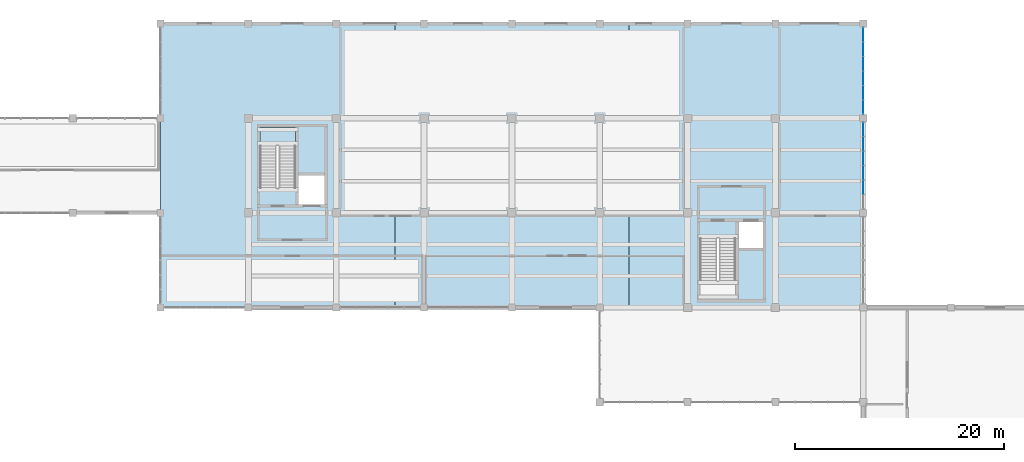
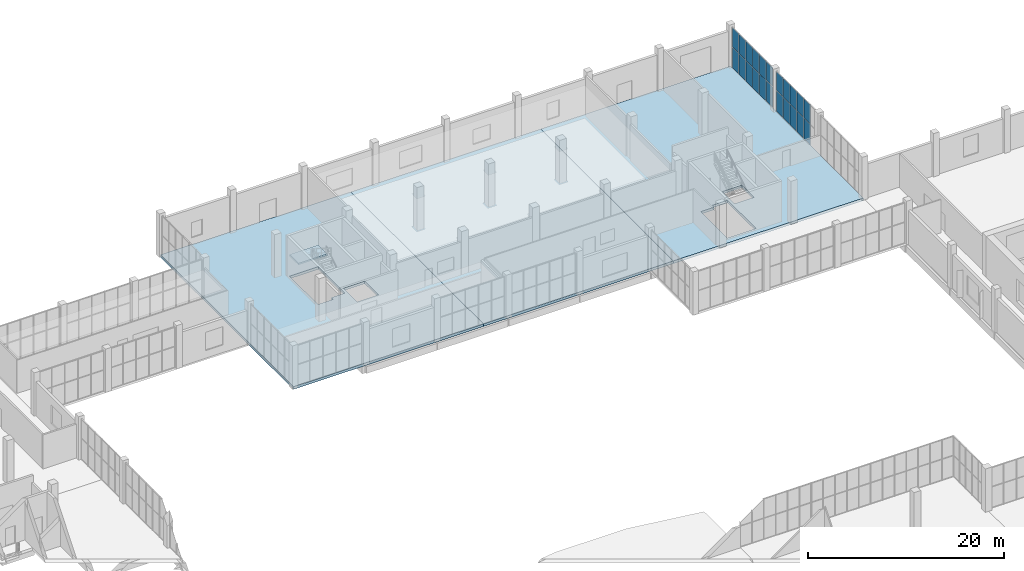
# One storey, part 71 of 91: 22 plates, 4 slabs, 3 elements without a shape of their own.
"""IFC4 building model written with IfcOpenShell, lengths in metres."""

from ifc_helpers import new_model, si_unit, direction, frame, origin, origin_2d, place, context, subcontext, project, spatial, polyline, rectangle, outline, extrude, material, layer, layer_set, type_object, element, aggregate, save


model = new_model("IFC4")

# Units and contexts
model_context = context("Model", 3, precision=1e-05, world=origin(), true_north=direction((0.0, 1.0)))
body_context = subcontext(model_context, "Body", "Model", "MODEL_VIEW")
ifc_project = project(units=[si_unit("LENGTHUNIT", "METRE"), si_unit("AREAUNIT", "SQUARE_METRE"), si_unit("VOLUMEUNIT", "CUBIC_METRE"), si_unit("PLANEANGLEUNIT", "RADIAN"), si_unit("MASSUNIT", "GRAM", prefix="KILO")], contexts=[model_context])

# Site, building, storey
site_placement = place(None, origin())
site = spatial("IfcSite", under=ifc_project, at=site_placement, CompositionType="ELEMENT")
building_placement = place(site_placement, origin())
building = spatial("IfcBuilding", under=site, at=building_placement, Name="Khurvash Pelagic Aquarium", CompositionType="ELEMENT")
storey_placement = place(building_placement, origin())
storey = spatial("IfcBuildingStorey", under=building, at=storey_placement, Name="L00", CompositionType="ELEMENT", Elevation=0.0)

# Curtain wall, plates
ifc_material_1 = material(Name="Anodised aluminium and low-E laminated glass", Category="aluminium")
curtain_wall_type = type_object("IfcCurtainWallType", Name="CW-05", PredefinedType="USERDEFINED", material=ifc_material_1)
curtain_wall_1_placement = place(storey_placement, origin())
curtain_wall_1 = element("IfcCurtainWall", 1, at=curtain_wall_1_placement, inside=storey, type_object=curtain_wall_type, Name="L00 Facade Unitised Curtain Wall CW-05 0062", ObjectType="UNITISED CURTAIN WALL", PredefinedType="USERDEFINED")
ifc_material_2 = material(Name="Low-E laminated double glazing", Category="glass")
ifc_layer_1 = layer(ifc_material_2, 0.033935546875)
ifc_layer_set_1 = layer_set([ifc_layer_1], Name="Low-E laminated double glazing")
plate_type = type_object("IfcPlateType", Name="CG-05", PredefinedType="CURTAIN_PANEL", material=ifc_layer_set_1)
plate_1_placement = place(storey_placement, frame((126.0, 95.5400390625, 0.06005859375), z_axis=(0.0, 0.0, 1.0), x_axis=(0.0, 1.0, 0.0)))
plate_1 = element("IfcPlate", 2, at=plate_1_placement, type_object=plate_type, Name="CW-05 panel 2.1", PredefinedType="CURTAIN_PANEL", context=body_context, shape_type="SweptSolid", body=[
    extrude(rectangle(XDim=1.330078125, YDim=0.033935546875, at=origin_2d()), origin(), (0.0, 0.0, 1.0), 2.556884765625),
])
plate_2_placement = place(storey_placement, frame((126.0, 95.5400390625, 2.677001953125), z_axis=(0.0, 0.0, 1.0), x_axis=(0.0, 1.0, 0.0)))
plate_2 = element("IfcPlate", 3, at=plate_2_placement, type_object=plate_type, Name="CW-05 panel 2.2", PredefinedType="CURTAIN_PANEL", context=body_context, shape_type="SweptSolid", body=[
    extrude(rectangle(XDim=1.330078125, YDim=0.033935546875, at=origin_2d()), origin(), (0.0, 0.0, 1.0), 2.35302734375),
])
plate_3_placement = place(storey_placement, frame((126.0, 96.929931640625, 0.06005859375), z_axis=(0.0, 0.0, 1.0), x_axis=(0.0, 1.0, 0.0)))
plate_3 = element("IfcPlate", 4, at=plate_3_placement, type_object=plate_type, Name="CW-05 panel 3.1", PredefinedType="CURTAIN_PANEL", context=body_context, shape_type="SweptSolid", body=[
    extrude(rectangle(XDim=1.330078125, YDim=0.033935546875, at=origin_2d()), origin(), (0.0, 0.0, 1.0), 2.556884765625),
])
plate_4_placement = place(storey_placement, frame((126.0, 96.929931640625, 2.677001953125), z_axis=(0.0, 0.0, 1.0), x_axis=(0.0, 1.0, 0.0)))
plate_4 = element("IfcPlate", 5, at=plate_4_placement, type_object=plate_type, Name="CW-05 panel 3.2", PredefinedType="CURTAIN_PANEL", context=body_context, shape_type="SweptSolid", body=[
    extrude(rectangle(XDim=1.330078125, YDim=0.033935546875, at=origin_2d()), origin(), (0.0, 0.0, 1.0), 2.35302734375),
])
plate_5_placement = place(storey_placement, frame((126.0, 98.320068359375, 0.06005859375), z_axis=(0.0, 0.0, 1.0), x_axis=(0.0, 1.0, 0.0)))
plate_5 = element("IfcPlate", 6, at=plate_5_placement, type_object=plate_type, Name="CW-05 panel 4.1", PredefinedType="CURTAIN_PANEL", context=body_context, shape_type="SweptSolid", body=[
    extrude(rectangle(XDim=1.330078125, YDim=0.033935546875, at=origin_2d()), origin(), (0.0, 0.0, 1.0), 2.556884765625),
])
plate_6_placement = place(storey_placement, frame((126.0, 98.320068359375, 2.677001953125), z_axis=(0.0, 0.0, 1.0), x_axis=(0.0, 1.0, 0.0)))
plate_6 = element("IfcPlate", 7, at=plate_6_placement, type_object=plate_type, Name="CW-05 panel 4.2", PredefinedType="CURTAIN_PANEL", context=body_context, shape_type="SweptSolid", body=[
    extrude(rectangle(XDim=1.330078125, YDim=0.033935546875, at=origin_2d()), origin(), (0.0, 0.0, 1.0), 2.35302734375),
])
plate_7_placement = place(storey_placement, frame((126.0, 99.7099609375, 0.06005859375), z_axis=(0.0, 0.0, 1.0), x_axis=(0.0, 1.0, 0.0)))
plate_7 = element("IfcPlate", 8, at=plate_7_placement, type_object=plate_type, Name="CW-05 panel 5.1", PredefinedType="CURTAIN_PANEL", context=body_context, shape_type="SweptSolid", body=[
    extrude(rectangle(XDim=1.330078125, YDim=0.033935546875, at=origin_2d()), origin(), (0.0, 0.0, 1.0), 2.556884765625),
])
plate_8_placement = place(storey_placement, frame((126.0, 99.7099609375, 2.677001953125), z_axis=(0.0, 0.0, 1.0), x_axis=(0.0, 1.0, 0.0)))
plate_8 = element("IfcPlate", 9, at=plate_8_placement, type_object=plate_type, Name="CW-05 panel 5.2", PredefinedType="CURTAIN_PANEL", context=body_context, shape_type="SweptSolid", body=[
    extrude(rectangle(XDim=1.330078125, YDim=0.033935546875, at=origin_2d()), origin(), (0.0, 0.0, 1.0), 2.35302734375),
])
plate_9_placement = place(storey_placement, frame((126.0, 101.0849609375, 0.06005859375), z_axis=(0.0, 0.0, 1.0), x_axis=(0.0, 1.0, 0.0)))
plate_9 = element("IfcPlate", 10, at=plate_9_placement, type_object=plate_type, Name="CW-05 panel 6.1", PredefinedType="CURTAIN_PANEL", context=body_context, shape_type="SweptSolid", body=[
    extrude(rectangle(XDim=1.300048828125, YDim=0.033935546875, at=origin_2d()), origin(), (0.0, 0.0, 1.0), 2.556884765625),
])
plate_10_placement = place(storey_placement, frame((126.0, 101.0849609375, 2.677001953125), z_axis=(0.0, 0.0, 1.0), x_axis=(0.0, 1.0, 0.0)))
plate_10 = element("IfcPlate", 11, at=plate_10_placement, type_object=plate_type, Name="CW-05 panel 6.2", PredefinedType="CURTAIN_PANEL", context=body_context, shape_type="SweptSolid", body=[
    extrude(rectangle(XDim=1.300048828125, YDim=0.033935546875, at=origin_2d()), origin(), (0.0, 0.0, 1.0), 2.35302734375),
])
aggregate(curtain_wall_1, [plate_1, plate_2, plate_3, plate_4, plate_5, plate_6, plate_7, plate_8, plate_9, plate_10])

curtain_wall_2_placement = place(storey_placement, origin())
curtain_wall_2 = element("IfcCurtainWall", 12, at=curtain_wall_2_placement, inside=storey, type_object=curtain_wall_type, Name="L00 Facade Unitised Curtain Wall CW-05 0063", ObjectType="UNITISED CURTAIN WALL", PredefinedType="USERDEFINED")
plate_11_placement = place(storey_placement, frame((126.0, 103.215087890625, 0.06005859375), z_axis=(0.0, 0.0, 1.0), x_axis=(0.0, 1.0, 0.0)))
plate_11 = element("IfcPlate", 13, at=plate_11_placement, type_object=plate_type, Name="CW-05 panel 1.1", PredefinedType="CURTAIN_PANEL", context=body_context, shape_type="SweptSolid", body=[
    extrude(rectangle(XDim=1.300048828125, YDim=0.033935546875, at=origin_2d()), origin(), (0.0, 0.0, 1.0), 2.556884765625),
])
plate_12_placement = place(storey_placement, frame((126.0, 103.215087890625, 2.677001953125), z_axis=(0.0, 0.0, 1.0), x_axis=(0.0, 1.0, 0.0)))
plate_12 = element("IfcPlate", 14, at=plate_12_placement, type_object=plate_type, Name="CW-05 panel 1.2", PredefinedType="CURTAIN_PANEL", context=body_context, shape_type="SweptSolid", body=[
    extrude(rectangle(XDim=1.300048828125, YDim=0.033935546875, at=origin_2d()), origin(), (0.0, 0.0, 1.0), 2.35302734375),
])
plate_13_placement = place(storey_placement, frame((126.0, 104.590087890625, 0.06005859375), z_axis=(0.0, 0.0, 1.0), x_axis=(0.0, 1.0, 0.0)))
plate_13 = element("IfcPlate", 15, at=plate_13_placement, type_object=plate_type, Name="CW-05 panel 2.1", PredefinedType="CURTAIN_PANEL", context=body_context, shape_type="SweptSolid", body=[
    extrude(rectangle(XDim=1.330078125, YDim=0.033935546875, at=origin_2d()), origin(), (0.0, 0.0, 1.0), 2.556884765625),
])
plate_14_placement = place(storey_placement, frame((126.0, 104.590087890625, 2.677001953125), z_axis=(0.0, 0.0, 1.0), x_axis=(0.0, 1.0, 0.0)))
plate_14 = element("IfcPlate", 16, at=plate_14_placement, type_object=plate_type, Name="CW-05 panel 2.2", PredefinedType="CURTAIN_PANEL", context=body_context, shape_type="SweptSolid", body=[
    extrude(rectangle(XDim=1.330078125, YDim=0.033935546875, at=origin_2d()), origin(), (0.0, 0.0, 1.0), 2.35302734375),
])
plate_15_placement = place(storey_placement, frame((126.0, 105.97998046875, 0.06005859375), z_axis=(0.0, 0.0, 1.0), x_axis=(0.0, 1.0, 0.0)))
plate_15 = element("IfcPlate", 17, at=plate_15_placement, type_object=plate_type, Name="CW-05 panel 3.1", PredefinedType="CURTAIN_PANEL", context=body_context, shape_type="SweptSolid", body=[
    extrude(rectangle(XDim=1.330078125, YDim=0.033935546875, at=origin_2d()), origin(), (0.0, 0.0, 1.0), 2.556884765625),
])
plate_16_placement = place(storey_placement, frame((126.0, 105.97998046875, 2.677001953125), z_axis=(0.0, 0.0, 1.0), x_axis=(0.0, 1.0, 0.0)))
plate_16 = element("IfcPlate", 18, at=plate_16_placement, type_object=plate_type, Name="CW-05 panel 3.2", PredefinedType="CURTAIN_PANEL", context=body_context, shape_type="SweptSolid", body=[
    extrude(rectangle(XDim=1.330078125, YDim=0.033935546875, at=origin_2d()), origin(), (0.0, 0.0, 1.0), 2.35302734375),
])
plate_17_placement = place(storey_placement, frame((126.0, 107.3701171875, 0.06005859375), z_axis=(0.0, 0.0, 1.0), x_axis=(0.0, 1.0, 0.0)))
plate_17 = element("IfcPlate", 19, at=plate_17_placement, type_object=plate_type, Name="CW-05 panel 4.1", PredefinedType="CURTAIN_PANEL", context=body_context, shape_type="SweptSolid", body=[
    extrude(rectangle(XDim=1.330078125, YDim=0.033935546875, at=origin_2d()), origin(), (0.0, 0.0, 1.0), 2.556884765625),
])
plate_18_placement = place(storey_placement, frame((126.0, 107.3701171875, 2.677001953125), z_axis=(0.0, 0.0, 1.0), x_axis=(0.0, 1.0, 0.0)))
plate_18 = element("IfcPlate", 20, at=plate_18_placement, type_object=plate_type, Name="CW-05 panel 4.2", PredefinedType="CURTAIN_PANEL", context=body_context, shape_type="SweptSolid", body=[
    extrude(rectangle(XDim=1.330078125, YDim=0.033935546875, at=origin_2d()), origin(), (0.0, 0.0, 1.0), 2.35302734375),
])
plate_19_placement = place(storey_placement, frame((126.0, 108.760009765625, 0.06005859375), z_axis=(0.0, 0.0, 1.0), x_axis=(0.0, 1.0, 0.0)))
plate_19 = element("IfcPlate", 21, at=plate_19_placement, type_object=plate_type, Name="CW-05 panel 5.1", PredefinedType="CURTAIN_PANEL", context=body_context, shape_type="SweptSolid", body=[
    extrude(rectangle(XDim=1.330078125, YDim=0.033935546875, at=origin_2d()), origin(), (0.0, 0.0, 1.0), 2.556884765625),
])
plate_20_placement = place(storey_placement, frame((126.0, 108.760009765625, 2.677001953125), z_axis=(0.0, 0.0, 1.0), x_axis=(0.0, 1.0, 0.0)))
plate_20 = element("IfcPlate", 22, at=plate_20_placement, type_object=plate_type, Name="CW-05 panel 5.2", PredefinedType="CURTAIN_PANEL", context=body_context, shape_type="SweptSolid", body=[
    extrude(rectangle(XDim=1.330078125, YDim=0.033935546875, at=origin_2d()), origin(), (0.0, 0.0, 1.0), 2.35302734375),
])
plate_21_placement = place(storey_placement, frame((126.0, 110.135009765625, 0.06005859375), z_axis=(0.0, 0.0, 1.0), x_axis=(0.0, 1.0, 0.0)))
plate_21 = element("IfcPlate", 23, at=plate_21_placement, type_object=plate_type, Name="CW-05 panel 6.1", PredefinedType="CURTAIN_PANEL", context=body_context, shape_type="SweptSolid", body=[
    extrude(rectangle(XDim=1.300048828125, YDim=0.033935546875, at=origin_2d()), origin(), (0.0, 0.0, 1.0), 2.556884765625),
])
plate_22_placement = place(storey_placement, frame((126.0, 110.135009765625, 2.677001953125), z_axis=(0.0, 0.0, 1.0), x_axis=(0.0, 1.0, 0.0)))
plate_22 = element("IfcPlate", 24, at=plate_22_placement, type_object=plate_type, Name="CW-05 panel 6.2", PredefinedType="CURTAIN_PANEL", context=body_context, shape_type="SweptSolid", body=[
    extrude(rectangle(XDim=1.300048828125, YDim=0.033935546875, at=origin_2d()), origin(), (0.0, 0.0, 1.0), 2.35302734375),
])
aggregate(curtain_wall_2, [plate_11, plate_12, plate_13, plate_14, plate_15, plate_16, plate_17, plate_18, plate_19, plate_20, plate_21, plate_22])

# Slabs
ifc_material_3 = material(Name="Concrete C40/50", Category="concrete")
ifc_layer_2 = layer(ifc_material_3, 0.320068359375)
ifc_layer_set_2 = layer_set([ifc_layer_2], Name="Concrete C40/50")
slab_type_1 = type_object("IfcSlabType", Name="FS-320", PredefinedType="FLOOR", material=ifc_layer_set_2)
slab_1_placement = place(storey_placement, frame((0.0, 0.0, -0.320068359375)))
element("IfcSlab", 25, at=slab_1_placement, inside=storey, type_object=slab_type_1, Name="L00 Structural Floor Slab FS-320 V5_NORTH.1", PredefinedType="FLOOR", context=body_context, shape_type="SweptSolid", body=[
    extrude(outline(polyline([(58.800048828125, 84.050048828125), (81.199951171875, 84.050048828125), (81.199951171875, 111.199951171875), (58.800048828125, 111.199951171875), (58.800048828125, 84.050048828125)]), holes=[polyline([(70.10009765625, 95.5), (68.300048828125, 95.5), (68.300048828125, 101.300048828125), (71.699951171875, 101.300048828125), (71.699951171875, 95.8798828125), (70.10009765625, 95.8798828125), (70.10009765625, 95.5)]), polyline([(74.5, 93.89990234375), (72.0, 93.89990234375), (72.0, 96.699951171875), (74.5, 96.699951171875), (74.5, 93.89990234375)])]), origin(), (0.0, 0.0, 1.0), 0.320068359375),
])
slab_2_placement = place(storey_placement, frame((0.0, 0.0, -0.320068359375)))
element("IfcSlab", 26, at=slab_2_placement, inside=storey, type_object=slab_type_1, Name="L00 Structural Floor Slab FS-320 V5_NORTH.2", PredefinedType="FLOOR", context=body_context, shape_type="SweptSolid", body=[
    extrude(outline(polyline([(81.199951171875, 111.199951171875), (81.199951171875, 84.050048828125), (103.60009765625, 84.050048828125), (103.60009765625, 111.199951171875), (81.199951171875, 111.199951171875)])), origin(), (0.0, 0.0, 1.0), 0.320068359375),
])
slab_3_placement = place(storey_placement, frame((0.0, 0.0, -0.320068359375)))
element("IfcSlab", 27, at=slab_3_placement, inside=storey, type_object=slab_type_1, Name="L00 Structural Floor Slab FS-320 V5_NORTH.3", PredefinedType="FLOOR", context=body_context, shape_type="SweptSolid", body=[
    extrude(outline(polyline([(126.0, 84.050048828125), (126.0, 111.199951171875), (103.60009765625, 111.199951171875), (103.60009765625, 84.050048828125), (126.0, 84.050048828125)]), holes=[polyline([(112.0, 90.64990234375), (113.800048828125, 90.64990234375), (113.800048828125, 84.85009765625), (110.39990234375, 84.85009765625), (110.39990234375, 90.27001953125), (112.0, 90.27001953125), (112.0, 90.64990234375)]), polyline([(116.39990234375, 89.75), (114.10009765625, 89.75), (114.10009765625, 92.25), (116.39990234375, 92.25), (116.39990234375, 89.75)])]), origin(), (0.0, 0.0, 1.0), 0.320068359375),
])

# Stair, slab
ifc_material_4 = material(Name="Concrete C35/45", Category="concrete")
stair_type = type_object("IfcStairType", Name="ST-04", PredefinedType="HALF_TURN_STAIR", material=ifc_material_4)
stair_placement = place(storey_placement, origin())
stair = element("IfcStair", 28, at=stair_placement, inside=storey, type_object=stair_type, Name="L00 Protected Exit Stair ST-04", PredefinedType="HALF_TURN_STAIR")
ifc_layer_3 = layer(ifc_material_4, 0.199951171875)
ifc_layer_set_3 = layer_set([ifc_layer_3], Name="Concrete C35/45")
slab_type_2 = type_object("IfcSlabType", Name="SL-LND-200", PredefinedType="LANDING", material=ifc_layer_set_3)
slab_4_placement = place(storey_placement, frame((0.0, 0.0, 2.5)))
slab_4 = element("IfcSlab", 29, at=slab_4_placement, type_object=slab_type_2, Name="ST-04 landing 1", PredefinedType="LANDING", context=body_context, shape_type="SweptSolid", body=[
    extrude(outline(polyline([(71.699951171875, 99.489990234375), (71.699951171875, 101.300048828125), (68.300048828125, 101.300048828125), (68.300048828125, 99.489990234375), (71.699951171875, 99.489990234375)])), origin(), (0.0, 0.0, 1.0), 0.199951171875),
])
aggregate(stair, [slab_4])

save(model, "model.ifc")
